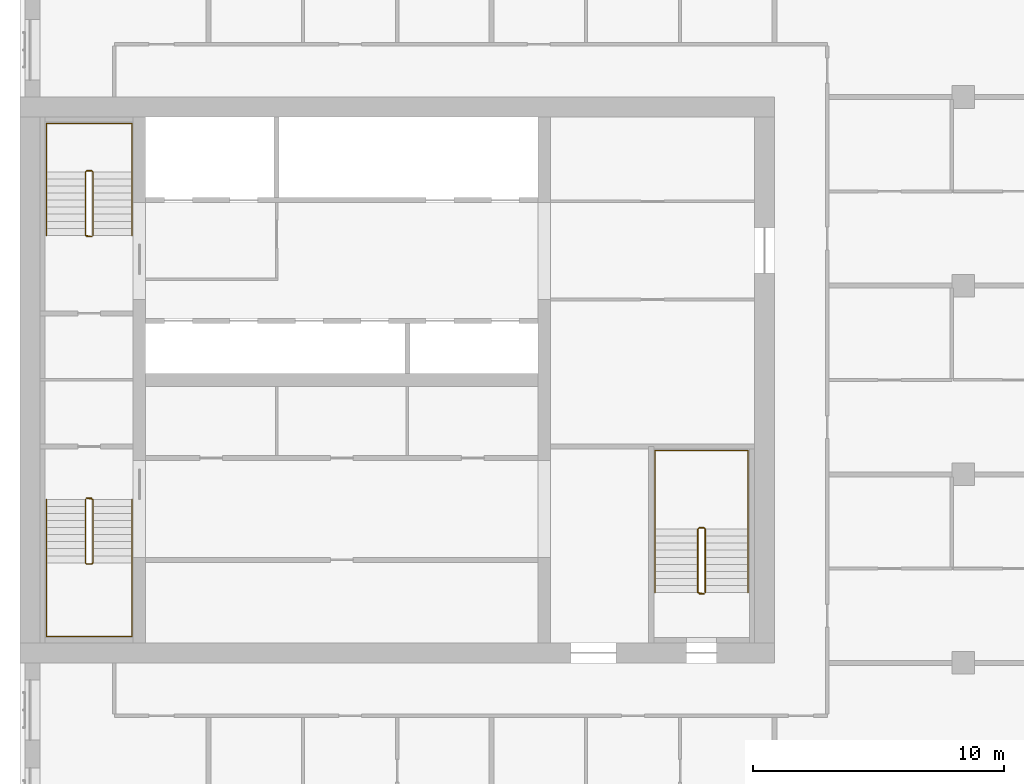
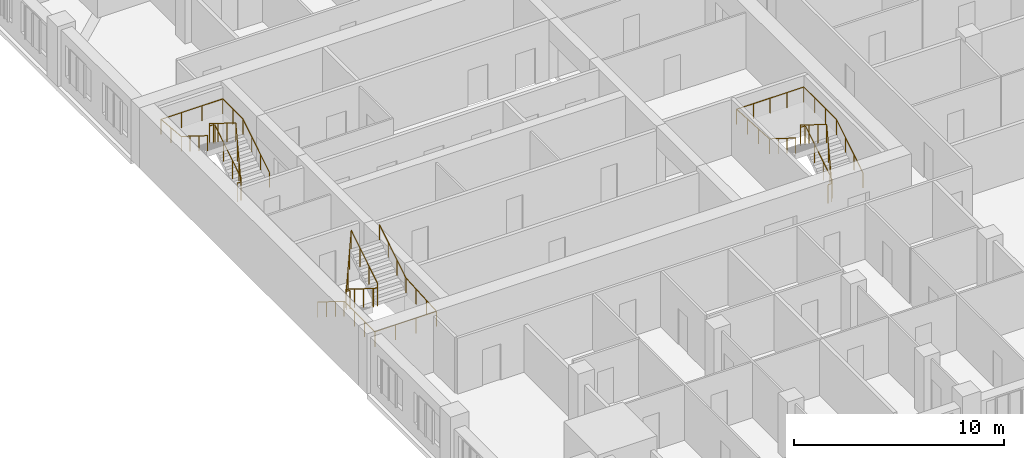
# One storey, part 14 of 14: 6 railings.
"""IFC4 building model written with IfcOpenShell, lengths in metres."""

from ifc_helpers import new_model, si_unit, direction, frame, origin, origin_2d, place, context, subcontext, project, spatial, circle, extrude, material, type_object, element, save


model = new_model("IFC4")

# Units and contexts
model_context = context("Model", 3, precision=1e-05, world=origin(), true_north=direction((0.0, 1.0)))
body_context = subcontext(model_context, "Body", "Model", "MODEL_VIEW")
ifc_project = project(units=[si_unit("LENGTHUNIT", "METRE"), si_unit("AREAUNIT", "SQUARE_METRE"), si_unit("VOLUMEUNIT", "CUBIC_METRE"), si_unit("PLANEANGLEUNIT", "RADIAN"), si_unit("MASSUNIT", "GRAM", prefix="KILO")], contexts=[model_context])

# Site, building, storey
site_placement = place(None, origin())
site = spatial("IfcSite", under=ifc_project, at=site_placement, CompositionType="ELEMENT")
building_placement = place(site_placement, origin())
building = spatial("IfcBuilding", under=site, at=building_placement, Name="Tamorin Gate", CompositionType="ELEMENT")
storey_placement = place(building_placement, frame((0.0, 0.0, 196.699951171875)))
storey = spatial("IfcBuildingStorey", under=building, at=storey_placement, Name="L48", CompositionType="ELEMENT", Elevation=196.699951171875)

# Railings
ifc_material_1 = material(Name="Painted steel balustrade", Category="steel")
railing_type_1 = type_object("IfcRailingType", Name="Stair guard 1100", PredefinedType="GUARDRAIL", material=ifc_material_1)
railing_1_placement = place(storey_placement, frame((32.60009765625, 66.5, 0.175048828125)))
element("IfcRailing", 1, at=railing_1_placement, inside=storey, type_object=railing_type_1, Name="L48 ST1 stair guard 1", PredefinedType="GUARDRAIL", context=body_context, shape_type="SweptSolid", body=[
    extrude(circle(Radius=0.02392578125, at=origin_2d()), frame((0.0, 0.0, 1.076171875), z_axis=(0.0, -0.848007534815, 0.529984170421), x_axis=(1.0, 0.0, 0.0)), (0.0, 0.0, 1.0), 2.9716796875),
    extrude(circle(Radius=0.02392578125, at=origin_2d()), frame((0.0, -2.52001953125, 2.65087890625), z_axis=(0.705375805398, -0.708833529934, 0.0), x_axis=(0.708833529934, 0.705375805398, 0.0)), (0.0, 0.0, 1.0), 0.070556640625),
    extrude(circle(Radius=0.02392578125, at=origin_2d()), frame((0.0498046875, -2.570068359375, 2.65087890625), z_axis=(1.0, 0.0, 0.0), x_axis=(0.0, 1.0, 0.0)), (0.0, 0.0, 1.0), 0.2001953125),
    extrude(circle(Radius=0.02392578125, at=origin_2d()), frame((0.25, -2.570068359375, 2.65087890625), z_axis=(0.263862480399, 0.265155923931, 0.927399011991), x_axis=(-0.708833529934, 0.705375805398, 0.0)), (0.0, 0.0, 1.0), 0.188720703125),
    extrude(circle(Radius=0.02392578125, at=origin_2d()), frame((0.2998046875, -2.52001953125, 2.826171875), z_axis=(0.0, 0.848007534815, 0.529984170421), x_axis=(-1.0, 0.0, 0.0)), (0.0, 0.0, 1.0), 2.9716796875),
    extrude(circle(Radius=0.02392578125, at=origin_2d()), frame((0.2998046875, 0.0, 4.40087890625), z_axis=(-0.071239803756, 0.014261874775, -0.997357252587), x_axis=(-0.196300278283, -0.98054382908, 0.0)), (0.0, 0.0, 1.0), 3.50927734375),
    extrude(circle(Radius=0.02392578125, at=origin_2d()), frame((0.0498046875, 0.050048828125, 0.90087890625), z_axis=(1.0, 0.0, 0.0), x_axis=(0.0, 1.0, 0.0)), (0.0, 0.0, 1.0), 0.2001953125),
    extrude(circle(Radius=0.02099609375, at=origin_2d()), origin(), (0.0, 0.0, 1.0), 1.052001953125),
    extrude(circle(Radius=0.02099609375, at=origin_2d()), frame((0.0, -0.840087890625, 0.52490234375)), (0.0, 0.0, 1.0), 1.052001953125),
    extrude(circle(Radius=0.02099609375, at=origin_2d()), frame((0.0, -1.679931640625, 1.050048828125)), (0.0, 0.0, 1.0), 1.052001953125),
    extrude(circle(Radius=0.02099609375, at=origin_2d()), frame((0.0, -2.52001953125, 1.574951171875)), (0.0, 0.0, 1.0), 1.052001953125),
    extrude(circle(Radius=0.02099609375, at=origin_2d()), frame((0.0498046875, -2.570068359375, 1.574951171875)), (0.0, 0.0, 1.0), 1.052001953125),
    extrude(circle(Radius=0.02099609375, at=origin_2d()), frame((0.25, -2.570068359375, 1.574951171875)), (0.0, 0.0, 1.0), 1.052001953125),
    extrude(circle(Radius=0.02099609375, at=origin_2d()), frame((0.2998046875, -2.52001953125, 1.75)), (0.0, 0.0, 1.0), 1.052001953125),
    extrude(circle(Radius=0.02099609375, at=origin_2d()), frame((0.2998046875, -1.679931640625, 2.27490234375)), (0.0, 0.0, 1.0), 1.052001953125),
    extrude(circle(Radius=0.02099609375, at=origin_2d()), frame((0.2998046875, -0.840087890625, 2.800048828125)), (0.0, 0.0, 1.0), 1.052001953125),
    extrude(circle(Radius=0.02099609375, at=origin_2d()), frame((0.2998046875, 0.0, 3.324951171875)), (0.0, 0.0, 1.0), 1.052001953125),
    extrude(circle(Radius=0.02099609375, at=origin_2d()), frame((0.216552734375, 0.0166015625, 2.158203125)), (0.0, 0.0, 1.0), 1.052001953125),
    extrude(circle(Radius=0.02099609375, at=origin_2d()), frame((0.133056640625, 0.033447265625, 0.99169921875)), (0.0, 0.0, 1.0), 1.052001953125),
    extrude(circle(Radius=0.02099609375, at=origin_2d()), frame((0.0498046875, 0.050048828125, -0.175048828125)), (0.0, 0.0, 1.0), 1.052001953125),
    extrude(circle(Radius=0.02099609375, at=origin_2d()), frame((0.25, 0.050048828125, -0.175048828125)), (0.0, 0.0, 1.0), 1.052001953125),
])
railing_2_placement = place(storey_placement, frame((32.89990234375, 77.0, 0.175048828125)))
element("IfcRailing", 2, at=railing_2_placement, inside=storey, type_object=railing_type_1, Name="L48 ST2 stair guard 1", PredefinedType="GUARDRAIL", context=body_context, shape_type="SweptSolid", body=[
    extrude(circle(Radius=0.02392578125, at=origin_2d()), frame((0.0, 0.0, 1.076171875), z_axis=(0.0, 0.848007534815, 0.529984170421), x_axis=(-1.0, 0.0, 0.0)), (0.0, 0.0, 1.0), 2.9716796875),
    extrude(circle(Radius=0.02392578125, at=origin_2d()), frame((0.0, 2.52001953125, 2.65087890625), z_axis=(-0.705375805398, 0.708833529934, 0.0), x_axis=(-0.708833529934, -0.705375805398, 0.0)), (0.0, 0.0, 1.0), 0.070556640625),
    extrude(circle(Radius=0.02392578125, at=origin_2d()), frame((-0.0498046875, 2.570068359375, 2.65087890625), z_axis=(-1.0, 0.0, 0.0), x_axis=(0.0, -1.0, 0.0)), (0.0, 0.0, 1.0), 0.2001953125),
    extrude(circle(Radius=0.02392578125, at=origin_2d()), frame((-0.25, 2.570068359375, 2.65087890625), z_axis=(-0.263862480399, -0.265155923931, 0.927399011991), x_axis=(0.708833529934, -0.705375805398, 0.0)), (0.0, 0.0, 1.0), 0.188720703125),
    extrude(circle(Radius=0.02392578125, at=origin_2d()), frame((-0.2998046875, 2.52001953125, 2.826171875), z_axis=(0.0, -0.848007534815, 0.529984170421), x_axis=(1.0, 0.0, 0.0)), (0.0, 0.0, 1.0), 2.9716796875),
    extrude(circle(Radius=0.02392578125, at=origin_2d()), frame((-0.2998046875, 0.0, 4.40087890625), z_axis=(0.071239803756, -0.014261874775, -0.997357252587), x_axis=(0.196300278283, 0.98054382908, 0.0)), (0.0, 0.0, 1.0), 3.50927734375),
    extrude(circle(Radius=0.02392578125, at=origin_2d()), frame((-0.0498046875, -0.050048828125, 0.90087890625), z_axis=(-1.0, 0.0, 0.0), x_axis=(0.0, -1.0, 0.0)), (0.0, 0.0, 1.0), 0.2001953125),
    extrude(circle(Radius=0.02099609375, at=origin_2d()), origin(), (0.0, 0.0, 1.0), 1.052001953125),
    extrude(circle(Radius=0.02099609375, at=origin_2d()), frame((0.0, 0.840087890625, 0.52490234375)), (0.0, 0.0, 1.0), 1.052001953125),
    extrude(circle(Radius=0.02099609375, at=origin_2d()), frame((0.0, 1.679931640625, 1.050048828125)), (0.0, 0.0, 1.0), 1.052001953125),
    extrude(circle(Radius=0.02099609375, at=origin_2d()), frame((0.0, 2.52001953125, 1.574951171875)), (0.0, 0.0, 1.0), 1.052001953125),
    extrude(circle(Radius=0.02099609375, at=origin_2d()), frame((-0.0498046875, 2.570068359375, 1.574951171875)), (0.0, 0.0, 1.0), 1.052001953125),
    extrude(circle(Radius=0.02099609375, at=origin_2d()), frame((-0.25, 2.570068359375, 1.574951171875)), (0.0, 0.0, 1.0), 1.052001953125),
    extrude(circle(Radius=0.02099609375, at=origin_2d()), frame((-0.2998046875, 2.52001953125, 1.75)), (0.0, 0.0, 1.0), 1.052001953125),
    extrude(circle(Radius=0.02099609375, at=origin_2d()), frame((-0.2998046875, 1.679931640625, 2.27490234375)), (0.0, 0.0, 1.0), 1.052001953125),
    extrude(circle(Radius=0.02099609375, at=origin_2d()), frame((-0.2998046875, 0.840087890625, 2.800048828125)), (0.0, 0.0, 1.0), 1.052001953125),
    extrude(circle(Radius=0.02099609375, at=origin_2d()), frame((-0.2998046875, 0.0, 3.324951171875)), (0.0, 0.0, 1.0), 1.052001953125),
    extrude(circle(Radius=0.02099609375, at=origin_2d()), frame((-0.216552734375, -0.0166015625, 2.158203125)), (0.0, 0.0, 1.0), 1.052001953125),
    extrude(circle(Radius=0.02099609375, at=origin_2d()), frame((-0.133056640625, -0.033447265625, 0.99169921875)), (0.0, 0.0, 1.0), 1.052001953125),
    extrude(circle(Radius=0.02099609375, at=origin_2d()), frame((-0.0498046875, -0.050048828125, -0.175048828125)), (0.0, 0.0, 1.0), 1.052001953125),
    extrude(circle(Radius=0.02099609375, at=origin_2d()), frame((-0.25, -0.050048828125, -0.175048828125)), (0.0, 0.0, 1.0), 1.052001953125),
])
railing_3_placement = place(storey_placement, frame((57.25, 62.800048828125, 0.175048828125)))
element("IfcRailing", 3, at=railing_3_placement, inside=storey, type_object=railing_type_1, Name="L48 ST3 stair guard 1", PredefinedType="GUARDRAIL", context=body_context, shape_type="SweptSolid", body=[
    extrude(circle(Radius=0.02392578125, at=origin_2d()), frame((0.0, 0.0, 1.076171875), z_axis=(0.0, 0.848007534815, 0.529984170421), x_axis=(-1.0, 0.0, 0.0)), (0.0, 0.0, 1.0), 2.9716796875),
    extrude(circle(Radius=0.02392578125, at=origin_2d()), frame((0.0, 2.52001953125, 2.65087890625), z_axis=(-0.707106781187, 0.707106781187, 0.0), x_axis=(-0.707106781187, -0.707106781187, 0.0)), (0.0, 0.0, 1.0), 0.07080078125),
    extrude(circle(Radius=0.02392578125, at=origin_2d()), frame((-0.050048828125, 2.570068359375, 2.65087890625), z_axis=(-1.0, 0.0, 0.0), x_axis=(0.0, -1.0, 0.0)), (0.0, 0.0, 1.0), 0.199951171875),
    extrude(circle(Radius=0.02392578125, at=origin_2d()), frame((-0.25, 2.570068359375, 2.65087890625), z_axis=(-0.265065253269, -0.265065253269, 0.927081885822), x_axis=(0.707106781187, -0.707106781187, 0.0)), (0.0, 0.0, 1.0), 0.188720703125),
    extrude(circle(Radius=0.02392578125, at=origin_2d()), frame((-0.300048828125, 2.52001953125, 2.826171875), z_axis=(0.0, -0.848007534815, 0.529984170421), x_axis=(1.0, 0.0, 0.0)), (0.0, 0.0, 1.0), 2.9716796875),
    extrude(circle(Radius=0.02392578125, at=origin_2d()), frame((-0.300048828125, 0.0, 4.40087890625), z_axis=(0.071239803756, -0.014261874775, -0.997357252587), x_axis=(0.196300278283, 0.98054382908, 0.0)), (0.0, 0.0, 1.0), 3.50927734375),
    extrude(circle(Radius=0.02392578125, at=origin_2d()), frame((-0.050048828125, -0.050048828125, 0.90087890625), z_axis=(-1.0, 0.0, 0.0), x_axis=(0.0, -1.0, 0.0)), (0.0, 0.0, 1.0), 0.199951171875),
    extrude(circle(Radius=0.02099609375, at=origin_2d()), origin(), (0.0, 0.0, 1.0), 1.052001953125),
    extrude(circle(Radius=0.02099609375, at=origin_2d()), frame((0.0, 0.840087890625, 0.52490234375)), (0.0, 0.0, 1.0), 1.052001953125),
    extrude(circle(Radius=0.02099609375, at=origin_2d()), frame((0.0, 1.679931640625, 1.050048828125)), (0.0, 0.0, 1.0), 1.052001953125),
    extrude(circle(Radius=0.02099609375, at=origin_2d()), frame((0.0, 2.52001953125, 1.574951171875)), (0.0, 0.0, 1.0), 1.052001953125),
    extrude(circle(Radius=0.02099609375, at=origin_2d()), frame((-0.050048828125, 2.570068359375, 1.574951171875)), (0.0, 0.0, 1.0), 1.052001953125),
    extrude(circle(Radius=0.02099609375, at=origin_2d()), frame((-0.25, 2.570068359375, 1.574951171875)), (0.0, 0.0, 1.0), 1.052001953125),
    extrude(circle(Radius=0.02099609375, at=origin_2d()), frame((-0.300048828125, 2.52001953125, 1.75)), (0.0, 0.0, 1.0), 1.052001953125),
    extrude(circle(Radius=0.02099609375, at=origin_2d()), frame((-0.300048828125, 1.679931640625, 2.27490234375)), (0.0, 0.0, 1.0), 1.052001953125),
    extrude(circle(Radius=0.02099609375, at=origin_2d()), frame((-0.300048828125, 0.840087890625, 2.800048828125)), (0.0, 0.0, 1.0), 1.052001953125),
    extrude(circle(Radius=0.02099609375, at=origin_2d()), frame((-0.300048828125, 0.0, 3.324951171875)), (0.0, 0.0, 1.0), 1.052001953125),
    extrude(circle(Radius=0.02099609375, at=origin_2d()), frame((-0.216796875, -0.0166015625, 2.158203125)), (0.0, 0.0, 1.0), 1.052001953125),
    extrude(circle(Radius=0.02099609375, at=origin_2d()), frame((-0.13330078125, -0.033447265625, 0.99169921875)), (0.0, 0.0, 1.0), 1.052001953125),
    extrude(circle(Radius=0.02099609375, at=origin_2d()), frame((-0.050048828125, -0.050048828125, -0.175048828125)), (0.0, 0.0, 1.0), 1.052001953125),
    extrude(circle(Radius=0.02099609375, at=origin_2d()), frame((-0.25, -0.050048828125, -0.175048828125)), (0.0, 0.0, 1.0), 1.052001953125),
])
ifc_material_2 = material(Name="Painted steel handrail", Category="steel")
railing_type_2 = type_object("IfcRailingType", Name="Stair handrail 900", PredefinedType="HANDRAIL", material=ifc_material_2)
railing_4_placement = place(storey_placement, frame((31.050048828125, 66.5, 0.175048828125)))
element("IfcRailing", 4, at=railing_4_placement, inside=storey, type_object=railing_type_2, Name="L48 ST1 stair handrail 1", PredefinedType="HANDRAIL", context=body_context, shape_type="SweptSolid", body=[
    extrude(circle(Radius=0.02392578125, at=origin_2d()), frame((0.0, 0.0, 0.8759765625), z_axis=(0.0, -0.848007534815, 0.529984170421), x_axis=(1.0, 0.0, 0.0)), (0.0, 0.0, 1.0), 2.9716796875),
    extrude(circle(Radius=0.02392578125, at=origin_2d()), frame((0.0, -2.52001953125, 2.45068359375), z_axis=(0.0, -1.0, 0.0), x_axis=(1.0, 0.0, 0.0)), (0.0, 0.0, 1.0), 2.929931640625),
    extrude(circle(Radius=0.02392578125, at=origin_2d()), frame((0.0, -5.449951171875, 2.45068359375), z_axis=(1.0, 0.0, 0.0), x_axis=(0.0, 1.0, 0.0)), (0.0, 0.0, 1.0), 3.39990234375),
    extrude(circle(Radius=0.02392578125, at=origin_2d()), frame((3.39990234375, -5.449951171875, 2.45068359375), z_axis=(0.0, 0.998220029962, 0.0596386769), x_axis=(-1.0, 0.0, 0.0)), (0.0, 0.0, 1.0), 2.93505859375),
    extrude(circle(Radius=0.02392578125, at=origin_2d()), frame((3.39990234375, -2.52001953125, 2.6259765625), z_axis=(0.0, 0.848007534815, 0.529984170421), x_axis=(-1.0, 0.0, 0.0)), (0.0, 0.0, 1.0), 2.9716796875),
    extrude(circle(Radius=0.02099609375, at=origin_2d()), origin(), (0.0, 0.0, 1.0), 0.851806640625),
    extrude(circle(Radius=0.02099609375, at=origin_2d()), frame((0.0, -0.840087890625, 0.52490234375)), (0.0, 0.0, 1.0), 0.851806640625),
    extrude(circle(Radius=0.02099609375, at=origin_2d()), frame((0.0, -1.679931640625, 1.050048828125)), (0.0, 0.0, 1.0), 0.851806640625),
    extrude(circle(Radius=0.02099609375, at=origin_2d()), frame((0.0, -2.52001953125, 1.574951171875)), (0.0, 0.0, 1.0), 0.851806640625),
    extrude(circle(Radius=0.02099609375, at=origin_2d()), frame((0.0, -3.49658203125, 1.574951171875)), (0.0, 0.0, 1.0), 0.851806640625),
    extrude(circle(Radius=0.02099609375, at=origin_2d()), frame((0.0, -4.473388671875, 1.574951171875)), (0.0, 0.0, 1.0), 0.851806640625),
    extrude(circle(Radius=0.02099609375, at=origin_2d()), frame((0.0, -5.449951171875, 1.574951171875)), (0.0, 0.0, 1.0), 0.851806640625),
    extrude(circle(Radius=0.02099609375, at=origin_2d()), frame((1.13330078125, -5.449951171875, 1.574951171875)), (0.0, 0.0, 1.0), 0.851806640625),
    extrude(circle(Radius=0.02099609375, at=origin_2d()), frame((2.2666015625, -5.449951171875, 1.574951171875)), (0.0, 0.0, 1.0), 0.851806640625),
    extrude(circle(Radius=0.02099609375, at=origin_2d()), frame((3.39990234375, -5.449951171875, 1.574951171875)), (0.0, 0.0, 1.0), 0.851806640625),
    extrude(circle(Radius=0.02099609375, at=origin_2d()), frame((3.39990234375, -4.473388671875, 1.63330078125)), (0.0, 0.0, 1.0), 0.851806640625),
    extrude(circle(Radius=0.02099609375, at=origin_2d()), frame((3.39990234375, -3.49658203125, 1.691650390625)), (0.0, 0.0, 1.0), 0.851806640625),
    extrude(circle(Radius=0.02099609375, at=origin_2d()), frame((3.39990234375, -2.52001953125, 1.75)), (0.0, 0.0, 1.0), 0.851806640625),
    extrude(circle(Radius=0.02099609375, at=origin_2d()), frame((3.39990234375, -1.679931640625, 2.27490234375)), (0.0, 0.0, 1.0), 0.851806640625),
    extrude(circle(Radius=0.02099609375, at=origin_2d()), frame((3.39990234375, -0.840087890625, 2.800048828125)), (0.0, 0.0, 1.0), 0.851806640625),
    extrude(circle(Radius=0.02099609375, at=origin_2d()), frame((3.39990234375, 0.0, 3.324951171875)), (0.0, 0.0, 1.0), 0.851806640625),
])
railing_5_placement = place(storey_placement, frame((34.449951171875, 77.0, 0.175048828125)))
element("IfcRailing", 5, at=railing_5_placement, inside=storey, type_object=railing_type_2, Name="L48 ST2 stair handrail 1", PredefinedType="HANDRAIL", context=body_context, shape_type="SweptSolid", body=[
    extrude(circle(Radius=0.02392578125, at=origin_2d()), frame((0.0, 0.0, 0.8759765625), z_axis=(0.0, 0.848007534815, 0.529984170421), x_axis=(-1.0, 0.0, 0.0)), (0.0, 0.0, 1.0), 2.9716796875),
    extrude(circle(Radius=0.02392578125, at=origin_2d()), frame((0.0, 2.52001953125, 2.45068359375), z_axis=(0.0, 1.0, 0.0), x_axis=(-1.0, 0.0, 0.0)), (0.0, 0.0, 1.0), 1.929931640625),
    extrude(circle(Radius=0.02392578125, at=origin_2d()), frame((0.0, 4.449951171875, 2.45068359375), z_axis=(-1.0, 0.0, 0.0), x_axis=(0.0, -1.0, 0.0)), (0.0, 0.0, 1.0), 3.39990234375),
    extrude(circle(Radius=0.02392578125, at=origin_2d()), frame((-3.39990234375, 4.449951171875, 2.45068359375), z_axis=(0.0, -0.995911773435, 0.090331276604), x_axis=(1.0, 0.0, 0.0)), (0.0, 0.0, 1.0), 1.937744140625),
    extrude(circle(Radius=0.02392578125, at=origin_2d()), frame((-3.39990234375, 2.52001953125, 2.6259765625), z_axis=(0.0, -0.848007534815, 0.529984170421), x_axis=(1.0, 0.0, 0.0)), (0.0, 0.0, 1.0), 2.9716796875),
    extrude(circle(Radius=0.02099609375, at=origin_2d()), origin(), (0.0, 0.0, 1.0), 0.851806640625),
    extrude(circle(Radius=0.02099609375, at=origin_2d()), frame((0.0, 0.840087890625, 0.52490234375)), (0.0, 0.0, 1.0), 0.851806640625),
    extrude(circle(Radius=0.02099609375, at=origin_2d()), frame((0.0, 1.679931640625, 1.050048828125)), (0.0, 0.0, 1.0), 0.851806640625),
    extrude(circle(Radius=0.02099609375, at=origin_2d()), frame((0.0, 2.52001953125, 1.574951171875)), (0.0, 0.0, 1.0), 0.851806640625),
    extrude(circle(Radius=0.02099609375, at=origin_2d()), frame((0.0, 3.48486328125, 1.574951171875)), (0.0, 0.0, 1.0), 0.851806640625),
    extrude(circle(Radius=0.02099609375, at=origin_2d()), frame((0.0, 4.449951171875, 1.574951171875)), (0.0, 0.0, 1.0), 0.851806640625),
    extrude(circle(Radius=0.02099609375, at=origin_2d()), frame((-1.13330078125, 4.449951171875, 1.574951171875)), (0.0, 0.0, 1.0), 0.851806640625),
    extrude(circle(Radius=0.02099609375, at=origin_2d()), frame((-2.2666015625, 4.449951171875, 1.574951171875)), (0.0, 0.0, 1.0), 0.851806640625),
    extrude(circle(Radius=0.02099609375, at=origin_2d()), frame((-3.39990234375, 4.449951171875, 1.574951171875)), (0.0, 0.0, 1.0), 0.851806640625),
    extrude(circle(Radius=0.02099609375, at=origin_2d()), frame((-3.39990234375, 3.48486328125, 1.66259765625)), (0.0, 0.0, 1.0), 0.851806640625),
    extrude(circle(Radius=0.02099609375, at=origin_2d()), frame((-3.39990234375, 2.52001953125, 1.75)), (0.0, 0.0, 1.0), 0.851806640625),
    extrude(circle(Radius=0.02099609375, at=origin_2d()), frame((-3.39990234375, 1.679931640625, 2.27490234375)), (0.0, 0.0, 1.0), 0.851806640625),
    extrude(circle(Radius=0.02099609375, at=origin_2d()), frame((-3.39990234375, 0.840087890625, 2.800048828125)), (0.0, 0.0, 1.0), 0.851806640625),
    extrude(circle(Radius=0.02099609375, at=origin_2d()), frame((-3.39990234375, 0.0, 3.324951171875)), (0.0, 0.0, 1.0), 0.851806640625),
])
railing_6_placement = place(storey_placement, frame((58.949951171875, 62.800048828125, 0.175048828125)))
element("IfcRailing", 6, at=railing_6_placement, inside=storey, type_object=railing_type_2, Name="L48 ST3 stair handrail 1", PredefinedType="HANDRAIL", context=body_context, shape_type="SweptSolid", body=[
    extrude(circle(Radius=0.02392578125, at=origin_2d()), frame((0.0, 0.0, 0.8759765625), z_axis=(0.0, 0.848007534815, 0.529984170421), x_axis=(-1.0, 0.0, 0.0)), (0.0, 0.0, 1.0), 2.9716796875),
    extrude(circle(Radius=0.02392578125, at=origin_2d()), frame((0.0, 2.52001953125, 2.45068359375), z_axis=(0.0, 1.0, 0.0), x_axis=(-1.0, 0.0, 0.0)), (0.0, 0.0, 1.0), 3.1298828125),
    extrude(circle(Radius=0.02392578125, at=origin_2d()), frame((0.0, 5.64990234375, 2.45068359375), z_axis=(-1.0, 0.0, 0.0), x_axis=(0.0, -1.0, 0.0)), (0.0, 0.0, 1.0), 3.699951171875),
    extrude(circle(Radius=0.02392578125, at=origin_2d()), frame((-3.699951171875, 5.64990234375, 2.45068359375), z_axis=(0.0, -0.998439675676, 0.055840970941), x_axis=(1.0, 0.0, 0.0)), (0.0, 0.0, 1.0), 3.134765625),
    extrude(circle(Radius=0.02392578125, at=origin_2d()), frame((-3.699951171875, 2.52001953125, 2.6259765625), z_axis=(0.0, -0.848007534815, 0.529984170421), x_axis=(1.0, 0.0, 0.0)), (0.0, 0.0, 1.0), 2.9716796875),
    extrude(circle(Radius=0.02099609375, at=origin_2d()), origin(), (0.0, 0.0, 1.0), 0.851806640625),
    extrude(circle(Radius=0.02099609375, at=origin_2d()), frame((0.0, 0.840087890625, 0.52490234375)), (0.0, 0.0, 1.0), 0.851806640625),
    extrude(circle(Radius=0.02099609375, at=origin_2d()), frame((0.0, 1.679931640625, 1.050048828125)), (0.0, 0.0, 1.0), 0.851806640625),
    extrude(circle(Radius=0.02099609375, at=origin_2d()), frame((0.0, 2.52001953125, 1.574951171875)), (0.0, 0.0, 1.0), 0.851806640625),
    extrude(circle(Radius=0.02099609375, at=origin_2d()), frame((0.0, 3.563232421875, 1.574951171875)), (0.0, 0.0, 1.0), 0.851806640625),
    extrude(circle(Radius=0.02099609375, at=origin_2d()), frame((0.0, 4.606689453125, 1.574951171875)), (0.0, 0.0, 1.0), 0.851806640625),
    extrude(circle(Radius=0.02099609375, at=origin_2d()), frame((0.0, 5.64990234375, 1.574951171875)), (0.0, 0.0, 1.0), 0.851806640625),
    extrude(circle(Radius=0.02099609375, at=origin_2d()), frame((-0.925048828125, 5.64990234375, 1.574951171875)), (0.0, 0.0, 1.0), 0.851806640625),
    extrude(circle(Radius=0.02099609375, at=origin_2d()), frame((-1.85009765625, 5.64990234375, 1.574951171875)), (0.0, 0.0, 1.0), 0.851806640625),
    extrude(circle(Radius=0.02099609375, at=origin_2d()), frame((-2.77490234375, 5.64990234375, 1.574951171875)), (0.0, 0.0, 1.0), 0.851806640625),
    extrude(circle(Radius=0.02099609375, at=origin_2d()), frame((-3.699951171875, 5.64990234375, 1.574951171875)), (0.0, 0.0, 1.0), 0.851806640625),
    extrude(circle(Radius=0.02099609375, at=origin_2d()), frame((-3.699951171875, 4.606689453125, 1.63330078125)), (0.0, 0.0, 1.0), 0.851806640625),
    extrude(circle(Radius=0.02099609375, at=origin_2d()), frame((-3.699951171875, 3.563232421875, 1.691650390625)), (0.0, 0.0, 1.0), 0.851806640625),
    extrude(circle(Radius=0.02099609375, at=origin_2d()), frame((-3.699951171875, 2.52001953125, 1.75)), (0.0, 0.0, 1.0), 0.851806640625),
    extrude(circle(Radius=0.02099609375, at=origin_2d()), frame((-3.699951171875, 1.679931640625, 2.27490234375)), (0.0, 0.0, 1.0), 0.851806640625),
    extrude(circle(Radius=0.02099609375, at=origin_2d()), frame((-3.699951171875, 0.840087890625, 2.800048828125)), (0.0, 0.0, 1.0), 0.851806640625),
    extrude(circle(Radius=0.02099609375, at=origin_2d()), frame((-3.699951171875, 0.0, 3.324951171875)), (0.0, 0.0, 1.0), 0.851806640625),
])

save(model, "model.ifc")
